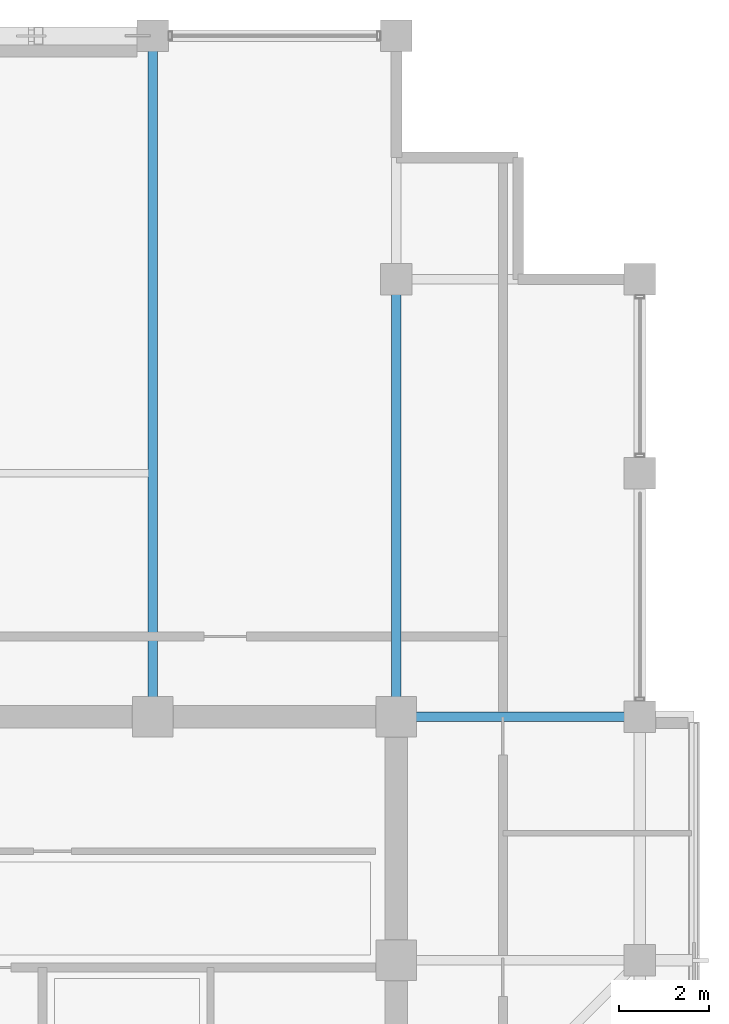
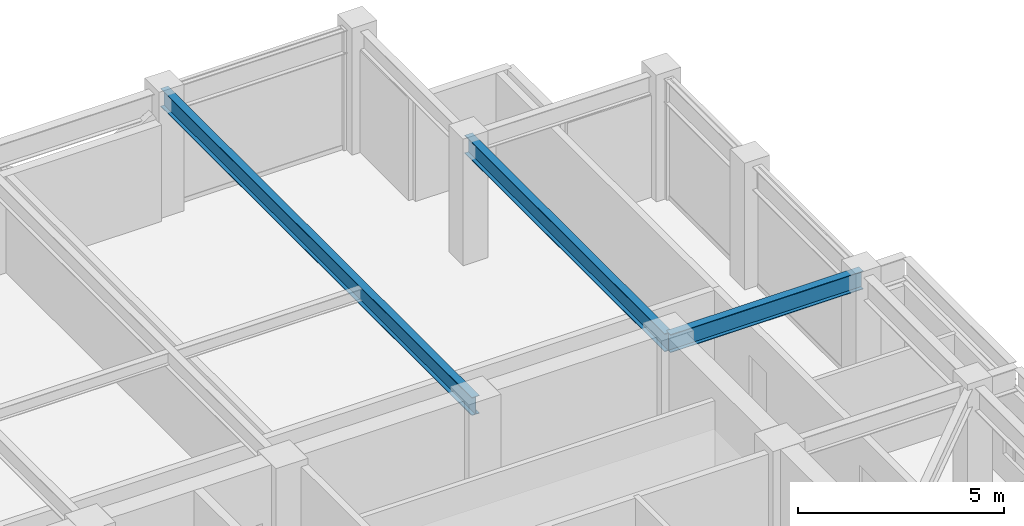
# One storey, part 17 of 29: 3 beams.
"""IFC4 building model written with IfcOpenShell, lengths in metres."""

from ifc_helpers import new_model, si_unit, direction, frame, origin, origin_2d, place, context, subcontext, project, spatial, i_section, extrude, material, material_profile, profile_set, type_object, element, save


model = new_model("IFC4")

# Units and contexts
model_context = context("Model", 3, precision=1e-05, world=origin(), true_north=direction((0.0, 1.0)))
body_context = subcontext(model_context, "Body", "Model", "MODEL_VIEW")
ifc_project = project(units=[si_unit("LENGTHUNIT", "METRE"), si_unit("AREAUNIT", "SQUARE_METRE"), si_unit("VOLUMEUNIT", "CUBIC_METRE"), si_unit("PLANEANGLEUNIT", "RADIAN"), si_unit("MASSUNIT", "GRAM", prefix="KILO")], contexts=[model_context])

# Site, building, storey
site_placement = place(None, origin())
site = spatial("IfcSite", under=ifc_project, at=site_placement, CompositionType="ELEMENT")
building_placement = place(site_placement, origin())
building = spatial("IfcBuilding", under=site, at=building_placement, Name="Surkhivell Harbour Commons", CompositionType="ELEMENT")
storey_placement = place(building_placement, frame((0.0, 0.0, 273.75)))
storey = spatial("IfcBuildingStorey", under=building, at=storey_placement, Name="L71", CompositionType="ELEMENT", Elevation=273.75)

# Beams
ifc_material = material(Name="Steel S355", Category="steel")
ifc_material_profile = material_profile(ifc_material, i_section(OverallWidth=0.2099609375, OverallDepth=0.537109375, WebThickness=0.0107421875, FlangeThickness=0.017333984375, at=origin_2d()), Name="UB533x210x101")
ifc_profile_set = profile_set([ifc_material_profile], Name="Steel S355")
beam_type = type_object("IfcBeamType", Name="BM-GRD-533B", PredefinedType="BEAM", material=ifc_profile_set)
beam_1_placement = place(storey_placement, frame((5.39990234375, 10.800048828125, 3.301513671875), z_axis=(0.0, 1.0, 0.0), x_axis=(-1.0, 0.0, 0.0)))
element("IfcBeam", 1, at=beam_1_placement, inside=storey, type_object=beam_type, Name="L71 Floor Girder (5.4,10.8)", PredefinedType="BEAM", context=body_context, shape_type="SweptSolid", body=[
    extrude(i_section(OverallWidth=0.2099609375, OverallDepth=0.537109375, WebThickness=0.0107421875, FlangeThickness=0.017333984375, at=origin_2d()), origin(), (0.0, 0.0, 1.0), 15.099853515625),
])
beam_2_placement = place(storey_placement, frame((10.800048828125, 10.800048828125, 3.301513671875), z_axis=(0.0, 1.0, 0.0), x_axis=(-1.0, 0.0, 0.0)))
element("IfcBeam", 2, at=beam_2_placement, inside=storey, type_object=beam_type, Name="L71 Floor Girder (10.8,10.8)", PredefinedType="BEAM", context=body_context, shape_type="SweptSolid", body=[
    extrude(i_section(OverallWidth=0.2099609375, OverallDepth=0.537109375, WebThickness=0.0107421875, FlangeThickness=0.017333984375, at=origin_2d()), origin(), (0.0, 0.0, 1.0), 9.699951171875),
])
beam_3_placement = place(storey_placement, frame((10.800048828125, 10.800048828125, 3.301513671875), z_axis=(1.0, 0.0, 0.0), x_axis=(0.0, 1.0, 0.0)))
element("IfcBeam", 3, at=beam_3_placement, inside=storey, type_object=beam_type, Name="L71 Floor Girder (10.8,10.8)", PredefinedType="BEAM", context=body_context, shape_type="SweptSolid", body=[
    extrude(i_section(OverallWidth=0.2099609375, OverallDepth=0.537109375, WebThickness=0.0107421875, FlangeThickness=0.017333984375, at=origin_2d()), origin(), (0.0, 0.0, 1.0), 5.39990234375),
])

save(model, "model.ifc")
